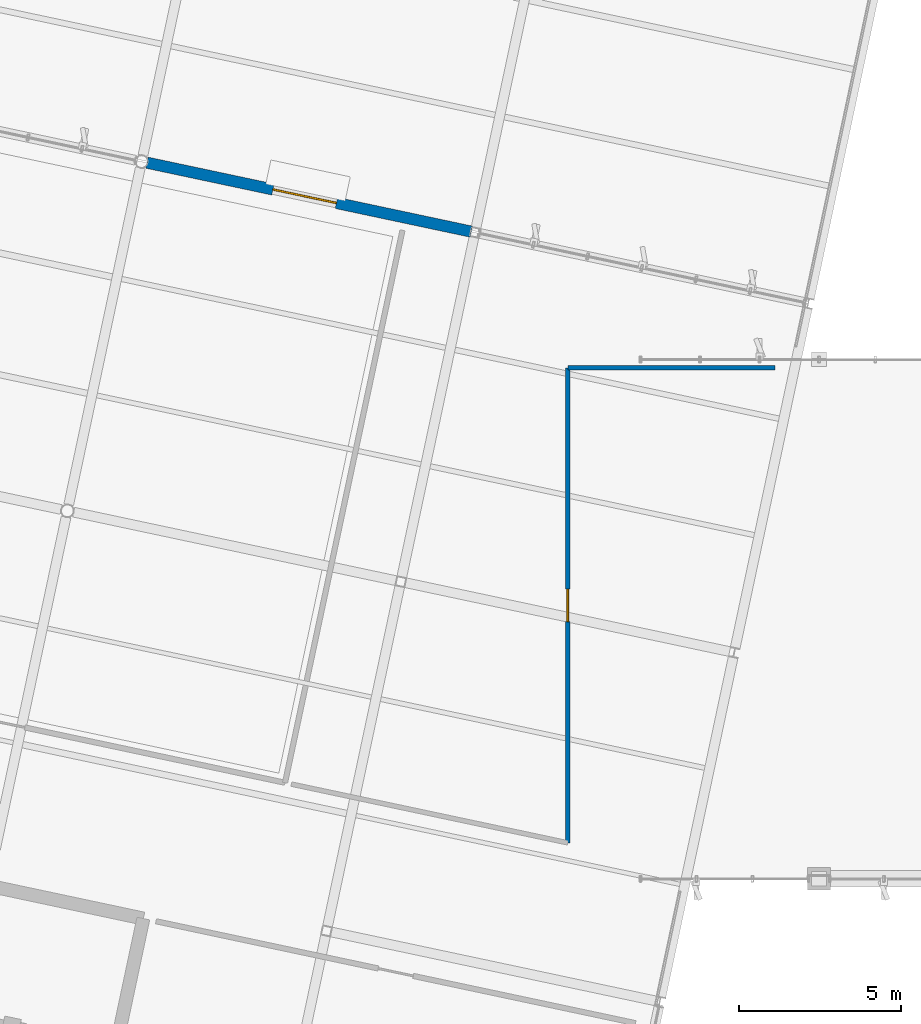
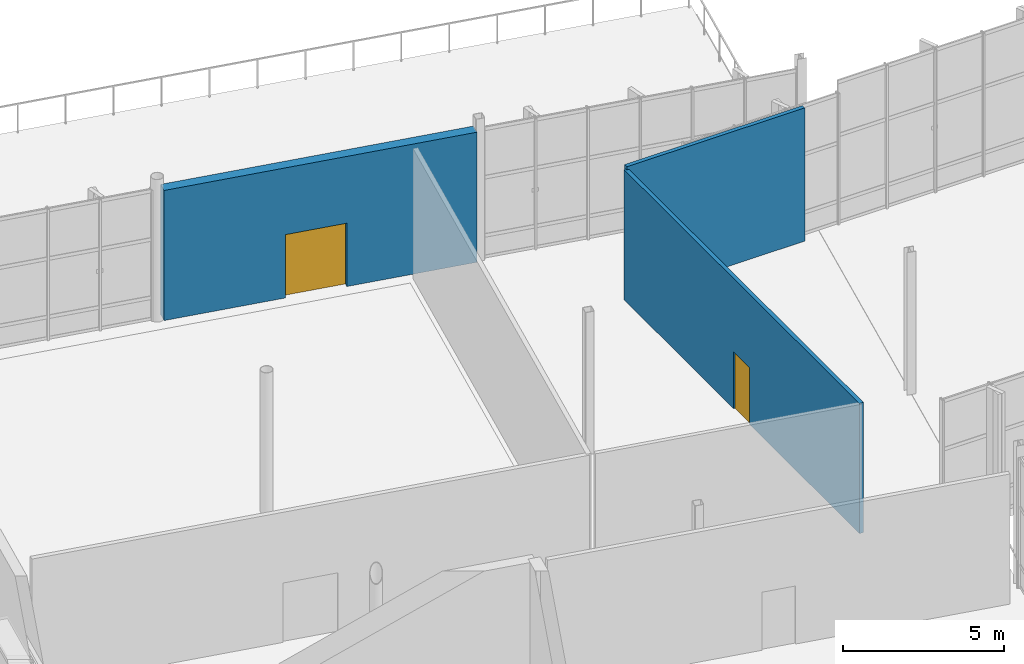
# One storey, part 140 of 176: 3 walls, 2 doors, 2 openings.
"""IFC4 building model written with IfcOpenShell, lengths in metres."""

import ifcopenshell
import ifcopenshell.guid

model = None  # the IFC model being written
_history = None  # IfcOwnerHistory: only IFC2X3 demands one
_inside = {}  # id of a spatial element -> (the spatial element, [elements in it])
_under = {}  # id of a project, library or spatial element -> (it, [spatial elements below it])
_declared = {}  # id of a project -> (the project, [libraries it declares])
_typed = {}  # id of a type object -> (the type object, [elements of that type])
_made_of = {}  # id of a material, layer set ... -> (it, [elements and type objects made of it])


def new_model(schema):
    """Start an empty IFC model of exactly this schema.

    Asked for "IFC4X3", IfcOpenShell would pick the latest addendum, in which some entities
    have other attributes; the version numbers below select the first issue.
    IFC2X3 requires an IfcOwnerHistory on every rooted entity: one is made here for all.
    """
    global model, _history
    if schema == "IFC4X3":
        model = ifcopenshell.file(schema_version=(4, 3, 0, 0))
    else:
        model = ifcopenshell.file(schema=schema)
    _inside.clear()
    _under.clear()
    _declared.clear()
    _typed.clear()
    _made_of.clear()
    _history = None
    if model.schema == "IFC2X3":
        org = make("IfcOrganization", Name="unknown")
        user = make(
            "IfcPersonAndOrganization",
            ThePerson=make("IfcPerson", FamilyName="unknown"),
            TheOrganization=org,
        )
        app = make(
            "IfcApplication",
            ApplicationDeveloper=org,
            Version="unknown",
            ApplicationFullName="unknown",
            ApplicationIdentifier="unknown",
        )
        _history = make(
            "IfcOwnerHistory",
            OwningUser=user,
            OwningApplication=app,
            ChangeAction="ADDED",
            CreationDate=0,
        )
    return model


def make(cls, **values):
    """One entity of the class cls with the attributes given. An attribute that is None is left unset."""
    return model.create_entity(
        cls, **{name: value for name, value in values.items() if value is not None}
    )


def rooted(cls, **values):
    """An entity with a GlobalId (a new one), such as an element, a storey or a relation."""
    return make(cls, GlobalId=ifcopenshell.guid.new(), OwnerHistory=_history, **values)


def si_unit(unit_type, name, prefix=None):
    """IfcSIUnit, for example si_unit("LENGTHUNIT", "METRE", prefix="MILLI")."""
    return make("IfcSIUnit", UnitType=unit_type, Prefix=prefix, Name=name)


def assignment(units):
    """IfcUnitAssignment: the units of a project."""
    return None if units is None else make("IfcUnitAssignment", Units=units)


def point(xyz):
    """IfcCartesianPoint."""
    return None if xyz is None else make("IfcCartesianPoint", Coordinates=xyz)


def direction(xyz):
    """IfcDirection."""
    return None if xyz is None else make("IfcDirection", DirectionRatios=xyz)


def frame(location, z_axis=None, x_axis=None):
    """IfcAxis2Placement3D, a coordinate frame: its origin and axes. An axis left out is left unset."""
    return make(
        "IfcAxis2Placement3D",
        Location=point(location),
        Axis=direction(z_axis),
        RefDirection=direction(x_axis),
    )


def frame_2d(location, x_axis=None):
    """IfcAxis2Placement2D, a coordinate frame in the plane: its origin and x axis."""
    return make(
        "IfcAxis2Placement2D", Location=point(location), RefDirection=direction(x_axis)
    )


def origin():
    """The frame at (0, 0, 0) with its axes left unset."""
    return frame((0.0, 0.0, 0.0))


def place(relative_to, where):
    """IfcLocalPlacement: puts the frame where relative to a parent placement (None: the world)."""
    return make(
        "IfcLocalPlacement", PlacementRelTo=relative_to, RelativePlacement=where
    )


def context(
    kind, dimensions, precision=None, world=None, true_north=None, identifier=None
):
    """IfcGeometricRepresentationContext, for example the 3D "Model" context."""
    return make(
        "IfcGeometricRepresentationContext",
        ContextIdentifier=identifier,
        ContextType=kind,
        CoordinateSpaceDimension=dimensions,
        Precision=precision,
        WorldCoordinateSystem=world,
        TrueNorth=true_north,
    )


def subcontext(parent, identifier, kind, view, scale=None):
    """IfcGeometricRepresentationSubContext, for example "Body" below "Model"."""
    return make(
        "IfcGeometricRepresentationSubContext",
        ContextIdentifier=identifier,
        ContextType=kind,
        ParentContext=parent,
        TargetScale=scale,
        TargetView=view,
    )


def project(units=None, contexts=None):
    """IfcProject with its units and contexts."""
    return rooted(
        "IfcProject",
        Name="project",
        RepresentationContexts=contexts,
        UnitsInContext=assignment(units),
    )


def spatial(cls, under=None, at=None, **own):
    """A site, building, storey or space (cls), placed at a placement, below another one or the project."""
    s = rooted(cls, ObjectPlacement=at, **own)
    if under is not None:
        _under.setdefault(under.id(), (under, []))[1].append(s)
    return s


def profile(cls, at=None, kind="AREA", **sizes):
    """A parametric profile (cls). Its sizes go by their IFC names, for example OverallWidth=200.0."""
    return make(cls, ProfileType=kind, Position=at, **sizes)


def rectangle(**sizes):
    """IfcRectangleProfileDef."""
    return profile("IfcRectangleProfileDef", **sizes)


def extrude(swept, where, along, depth):
    """IfcExtrudedAreaSolid: the profile swept, set in the frame where, extruded along a direction by depth."""
    return make(
        "IfcExtrudedAreaSolid",
        SweptArea=swept,
        Position=where,
        ExtrudedDirection=direction(along),
        Depth=depth,
    )


def shape(context_of_items, identifier, shape_type, items):
    """IfcShapeRepresentation: the items that make up one representation, for example the "Body"."""
    return make(
        "IfcShapeRepresentation",
        ContextOfItems=context_of_items,
        RepresentationIdentifier=identifier,
        RepresentationType=shape_type,
        Items=items,
    )


def material(Name=None, Category=None):
    """IfcMaterial."""
    return make("IfcMaterial", Name=Name, Category=Category)


def layer(
    of_material, thickness, ventilated=None, Name=None, Category=None, Priority=None
):
    """IfcMaterialLayer: one layer of a wall or slab, of a material (None: an air gap)."""
    return make(
        "IfcMaterialLayer",
        Material=of_material,
        LayerThickness=thickness,
        IsVentilated=ventilated,
        Name=Name,
        Category=Category,
        Priority=Priority,
    )


def layer_set(layers, Name=None):
    """IfcMaterialLayerSet."""
    return make("IfcMaterialLayerSet", MaterialLayers=layers, LayerSetName=Name)


def made_of(thing, what):
    """Note that an element or type object is made of a material, layer set ...; save() writes the relation."""
    if what is not None:
        _made_of.setdefault(what.id(), (what, []))[1].append(thing)
    return thing


def type_object(cls, material=None, **own):
    """A type object (cls), such as IfcWallType, which elements share."""
    return made_of(rooted(cls, **own), material)


def element(
    cls,
    number,
    at=None,
    inside=None,
    cuts=None,
    type_object=None,
    material=None,
    context=None,
    identifier="Body",
    shape_type=None,
    held_by="IfcProductDefinitionShape",
    body=None,
    shapes=None,
    **own,
):
    """One element of the class cls, such as IfcWall. Its Tag is "e" and its number.

    at: its placement. inside: the storey or other place that contains it. cuts: it is an
    opening in that element (IfcRelVoidsElement). A single representation is given by context,
    identifier, shape_type and body (its items); several are given by shapes. held_by: the class
    of the entity that holds the representations. save() writes the other relations.
    """
    e = rooted(cls, Tag="e%d" % number, ObjectPlacement=at, **own)
    if body is not None:
        shapes = [shape(context, identifier, shape_type, body)]
    if shapes is not None:
        e.Representation = make(held_by, Representations=shapes)
    if inside is not None:
        _inside.setdefault(inside.id(), (inside, []))[1].append(e)
    if cuts is not None:
        rooted(
            "IfcRelVoidsElement", RelatingBuildingElement=cuts, RelatedOpeningElement=e
        )
    if type_object is not None:
        _typed.setdefault(type_object.id(), (type_object, []))[1].append(e)
    return made_of(e, material)


def fill(opening, filler):
    """IfcRelFillsElement: the door or window that sits in an opening."""
    return rooted(
        "IfcRelFillsElement",
        RelatingOpeningElement=opening,
        RelatedBuildingElement=filler,
    )


def aggregate(whole, parts):
    """IfcRelAggregates: a whole, such as a stair, and the parts it consists of."""
    return rooted("IfcRelAggregates", RelatingObject=whole, RelatedObjects=parts)


def save(model, path):
    """Write the relations noted so far, then the file.

    IfcRelAggregates (storeys below a building ...), IfcRelContainedInSpatialStructure (elements
    in a storey), IfcRelDefinesByType, IfcRelAssociatesMaterial and IfcRelDeclares: one each for
    every whole, place, type object, material and project.
    """
    for whole, parts in _under.values():
        aggregate(whole, parts)
    for where, things in _inside.values():
        rooted(
            "IfcRelContainedInSpatialStructure",
            RelatedElements=things,
            RelatingStructure=where,
        )
    for kind, things in _typed.values():
        rooted("IfcRelDefinesByType", RelatedObjects=things, RelatingType=kind)
    for what, things in _made_of.values():
        rooted("IfcRelAssociatesMaterial", RelatedObjects=things, RelatingMaterial=what)
    for by, libraries in _declared.values():
        rooted("IfcRelDeclares", RelatingContext=by, RelatedDefinitions=libraries)
    model.write(path)


model = new_model("IFC4")

# Units and contexts
model_context = context("Model", 3, precision=1e-05, world=origin(), true_north=direction((0.0, 1.0)))
body_context = subcontext(model_context, "Body", "Model", "MODEL_VIEW")
ifc_project = project(units=[si_unit("LENGTHUNIT", "METRE"), si_unit("AREAUNIT", "SQUARE_METRE"), si_unit("VOLUMEUNIT", "CUBIC_METRE"), si_unit("PLANEANGLEUNIT", "RADIAN"), si_unit("MASSUNIT", "GRAM", prefix="KILO")], contexts=[model_context])

# Site, building, storey
site_placement = place(None, origin())
site = spatial("IfcSite", under=ifc_project, at=site_placement, CompositionType="ELEMENT")
building_placement = place(site_placement, origin())
building = spatial("IfcBuilding", under=site, at=building_placement, Name="Khorjan Park Terminus", CompositionType="ELEMENT")
storey_placement = place(building_placement, frame((0.0, 0.0, 6.0)))
storey = spatial("IfcBuildingStorey", under=building, at=storey_placement, Name="L01", CompositionType="ELEMENT", Elevation=6.0)

# Wall, opening, door
ifc_material_1 = material(Name="Pigmented Precast GRC & Concrete C40/50", Category="concrete")
ifc_layer_1 = layer(ifc_material_1, 0.35)
ifc_layer_set_1 = layer_set([ifc_layer_1], Name="Pigmented Precast GRC & Concrete C40/50")
wall_type_1 = type_object("IfcWallType", Name="EW-35", PredefinedType="STANDARD", material=ifc_layer_set_1)
wall_1_placement = place(storey_placement, frame((21.2895, 69.9367, 0.0), z_axis=(0.0, 0.0, 1.0), x_axis=(-0.978147157233, 0.207913777312, 0.0)))
wall_1 = element("IfcWall", 1, at=wall_1_placement, inside=storey, type_object=wall_type_1, Name="External pigmented-GRC insulated wall EW-35 (EW-V4-N-L01-B02)", PredefinedType="STANDARD", context=body_context, shape_type="SweptSolid", body=[
    extrude(rectangle(XDim=10.2163, YDim=0.35, at=frame_2d((5.1082, 0.0))), origin(), (0.0, 0.0, 1.0), 4.93),
])
opening_1_placement = place(wall_1_placement, frame((4.25, 0.0, 0.0)))
opening_1 = element("IfcOpeningElement", 2, at=opening_1_placement, cuts=wall_1, Name="Opening ED-20", PredefinedType="OPENING", context=body_context, shape_type="SweptSolid", body=[
    extrude(rectangle(XDim=2.0, YDim=2.4, at=frame_2d((1.0, 1.2))), frame((0.0, 0.185, 0.0), z_axis=(0.0, -1.0, 0.0), x_axis=(1.0, 0.0, 0.0)), (0.0, 0.0, 1.0), 0.37),
])
ifc_material_2 = material(Name="Anodized Bronze Aluminium & Safety Glass", Category="aluminium")
door_type_1 = type_object("IfcDoorType", Name="ED-20", OperationType="NOTDEFINED", PredefinedType="DOOR", material=ifc_material_2)
door_1_placement = place(opening_1_placement, origin())
door_1 = element("IfcDoor", 3, at=door_1_placement, inside=storey, type_object=door_type_1, Name="Exterior door ED-20 (DR-EW-V4-N-L01-B02)", OperationType="DOUBLE_DOOR_SINGLE_SWING", OverallHeight=2.4, OverallWidth=2.0, PredefinedType="DOOR", context=body_context, shape_type="SweptSolid", body=[
    extrude(rectangle(XDim=2.0, YDim=2.4, at=frame_2d((1.0, 1.2))), frame((0.0, 0.025, 0.0), z_axis=(0.0, -1.0, 0.0), x_axis=(1.0, 0.0, 0.0)), (0.0, 0.0, 1.0), 0.05),
])
fill(opening_1, door_1)

# Wall
ifc_material_3 = material(Name="Moisture-Resistant Sanitary Partition")
ifc_layer_2 = layer(ifc_material_3, 0.14)
ifc_layer_set_2 = layer_set([ifc_layer_2], Name="Moisture-Resistant Sanitary Partition")
wall_type_2 = type_object("IfcWallType", Name="PT-14", PredefinedType="PARTITIONING", material=ifc_layer_set_2)
wall_2_placement = place(storey_placement, frame((30.6364, 65.74, 0.0), z_axis=(0.0, 0.0, 1.0), x_axis=(-1.0, 0.0, 0.0)))
element("IfcWall", 4, at=wall_2_placement, inside=storey, type_object=wall_type_2, Name="Interior acoustic partition PT-14 (L01-PAV-WC)", PredefinedType="PARTITIONING", context=body_context, shape_type="SweptSolid", body=[
    extrude(rectangle(XDim=6.3764, YDim=0.14, at=frame_2d((3.1882, 0.0))), origin(), (0.0, 0.0, 1.0), 5.05),
])

# Wall, opening, door
wall_3_placement = place(storey_placement, frame((24.26, 65.74, 0.0), z_axis=(0.0, 0.0, 1.0), x_axis=(0.0, -1.0, 0.0)))
wall_3 = element("IfcWall", 5, at=wall_3_placement, inside=storey, type_object=wall_type_2, Name="Interior acoustic partition PT-14 (L01-PAV-WC)", PredefinedType="PARTITIONING", context=body_context, shape_type="SweptSolid", body=[
    extrude(rectangle(XDim=14.6324, YDim=0.14, at=frame_2d((7.3162, 0.0))), origin(), (0.0, 0.0, 1.0), 4.93),
])
opening_2_placement = place(wall_3_placement, frame((6.8162, 0.0, 0.0)))
opening_2 = element("IfcOpeningElement", 6, at=opening_2_placement, cuts=wall_3, Name="Opening ID-10", PredefinedType="OPENING", context=body_context, shape_type="SweptSolid", body=[
    extrude(rectangle(XDim=1.0, YDim=2.15, at=frame_2d((0.5, 1.075))), frame((0.0, 0.08, 0.0), z_axis=(0.0, -1.0, 0.0), x_axis=(1.0, 0.0, 0.0)), (0.0, 0.0, 1.0), 0.16),
])
ifc_material_4 = material(Name="Acoustic Fire-Rated Single Door")
door_type_2 = type_object("IfcDoorType", Name="ID-10", OperationType="NOTDEFINED", PredefinedType="DOOR", material=ifc_material_4)
door_2_placement = place(opening_2_placement, origin())
door_2 = element("IfcDoor", 7, at=door_2_placement, inside=storey, type_object=door_type_2, Name="Interior door ID-10 (L01-PAV-WC)", OperationType="SINGLE_SWING_RIGHT", OverallHeight=2.15, OverallWidth=1.0, PredefinedType="DOOR", context=body_context, shape_type="SweptSolid", body=[
    extrude(rectangle(XDim=1.0, YDim=2.15, at=frame_2d((0.5, 1.075))), frame((0.0, 0.025, 0.0), z_axis=(0.0, -1.0, 0.0), x_axis=(1.0, 0.0, 0.0)), (0.0, 0.0, 1.0), 0.05),
])
fill(opening_2, door_2)

save(model, "model.ifc")
